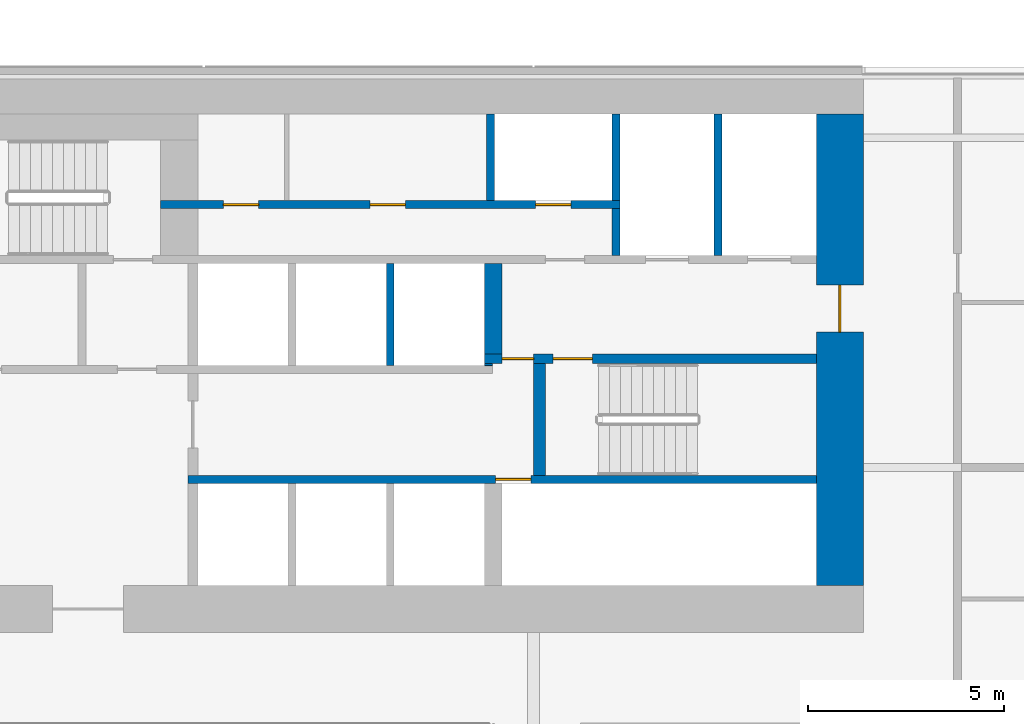
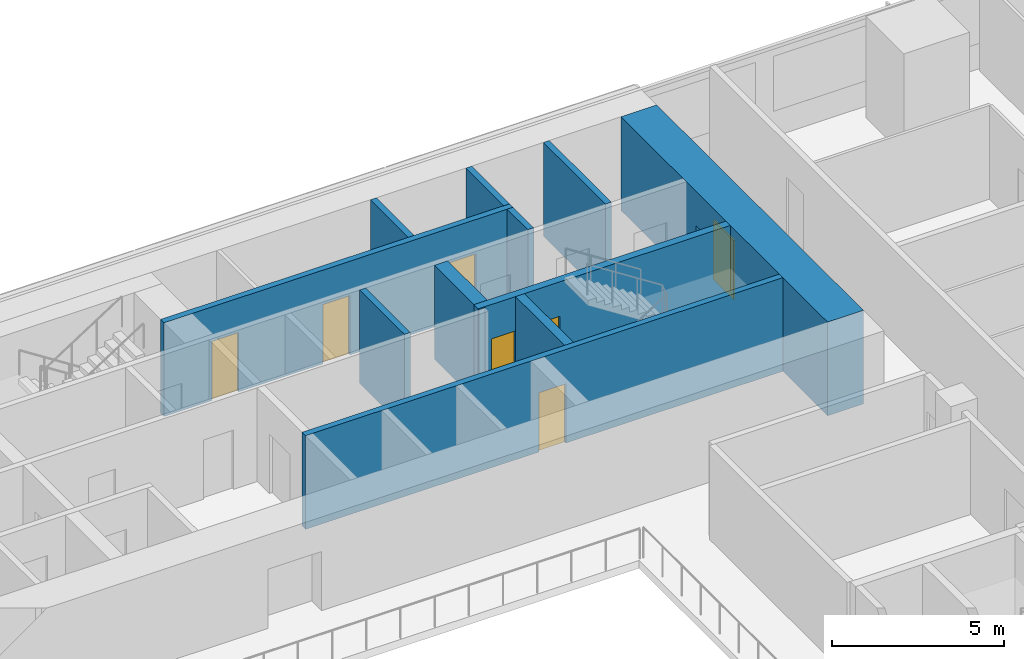
# One storey, part 22 of 29: 12 walls, 7 doors, 7 openings.
"""IFC4 building model written with IfcOpenShell, lengths in metres."""

from ifc_helpers import new_model, si_unit, direction, frame, frame_2d, origin, place, context, subcontext, project, spatial, rectangle, extrude, material, layer, layer_set, type_object, element, fill, save


model = new_model("IFC4")

# Units and contexts
model_context = context("Model", 3, precision=1e-05, world=origin(), true_north=direction((0.0, 1.0)))
body_context = subcontext(model_context, "Body", "Model", "MODEL_VIEW")
ifc_project = project(units=[si_unit("LENGTHUNIT", "METRE"), si_unit("AREAUNIT", "SQUARE_METRE"), si_unit("VOLUMEUNIT", "CUBIC_METRE"), si_unit("PLANEANGLEUNIT", "RADIAN"), si_unit("MASSUNIT", "GRAM", prefix="KILO")], contexts=[model_context])

# Site, building, storey
site_placement = place(None, origin())
site = spatial("IfcSite", under=ifc_project, at=site_placement, CompositionType="ELEMENT")
building_placement = place(site_placement, origin())
building = spatial("IfcBuilding", under=site, at=building_placement, Name="Saffron Gate Tower", CompositionType="ELEMENT")
storey_placement = place(building_placement, frame((0.0, 0.0, 48.0)))
storey = spatial("IfcBuildingStorey", under=building, at=storey_placement, Name="L10", CompositionType="ELEMENT", Elevation=48.0)

# Wall, opening, door
ifc_material_1 = material(Name="Concrete C70", Category="concrete")
ifc_layer_1 = layer(ifc_material_1, 1.199951171875)
ifc_layer_set_1 = layer_set([ifc_layer_1], Name="CW1 RC core wall 1200 C70")
wall_type_1 = type_object("IfcWallType", Name="CW1 RC core wall 1200 C70", PredefinedType="SOLIDWALL", material=ifc_layer_set_1)
wall_1_placement = place(storey_placement, frame((108.0, 62.39990234375, 0.0), z_axis=(0.0, 0.0, 1.0), x_axis=(0.0, 1.0, 0.0)))
wall_1 = element("IfcWall", 1, at=wall_1_placement, inside=storey, type_object=wall_type_1, Name="Wall CW1-L10-4", PredefinedType="SOLIDWALL", context=body_context, shape_type="SweptSolid", body=[
    extrude(rectangle(XDim=12.0, YDim=1.199951171875, at=frame_2d((6.0, 0.0))), origin(), (0.0, 0.0, 1.0), 3.320068359375),
])
opening_1_placement = place(wall_1_placement, frame((6.449951171875, 0.0, 0.0)))
opening_1 = element("IfcOpeningElement", 2, at=opening_1_placement, cuts=wall_1, Name="Opening CR-08", PredefinedType="OPENING", context=body_context, shape_type="SweptSolid", body=[
    extrude(rectangle(XDim=1.199951171875, YDim=2.10009765625, at=frame_2d((0.60009765625, 1.050048828125))), frame((0.0, 0.60986328125, 0.0), z_axis=(0.0, -1.0, 0.0), x_axis=(1.0, 0.0, 0.0)), (0.0, 0.0, 1.0), 1.219970703125),
])
ifc_material_2 = material(Name="Steel fire door set", Category="steel")
door_type_1 = type_object("IfcDoorType", Name="CD7 Core entrance door 1200x2100 EI 120", OperationType="NOTDEFINED", PredefinedType="DOOR", material=ifc_material_2)
door_1_placement = place(opening_1_placement, origin())
door_1 = element("IfcDoor", 3, at=door_1_placement, inside=storey, type_object=door_type_1, Name="DOOR CR-08", OperationType="SINGLE_SWING_RIGHT", OverallHeight=2.10009765625, OverallWidth=1.199951171875, PredefinedType="DOOR", context=body_context, shape_type="SweptSolid", body=[
    extrude(rectangle(XDim=1.199951171875, YDim=2.10009765625, at=frame_2d((0.60009765625, 1.050048828125))), frame((0.0, 0.02490234375, 0.0), z_axis=(0.0, -1.0, 0.0), x_axis=(1.0, 0.0, 0.0)), (0.0, 0.0, 1.0), 0.050048828125),
])
fill(opening_1, door_1)

# Wall, openings, doors
ifc_layer_2 = layer(ifc_material_1, 0.25)
ifc_layer_set_2 = layer_set([ifc_layer_2], Name="CW2 RC core wall 250 C70")
wall_type_2 = type_object("IfcWallType", Name="CW2 RC core wall 250 C70", PredefinedType="SOLIDWALL", material=ifc_layer_set_2)
wall_2_placement = place(storey_placement, frame((98.949951171875, 68.175048828125, 0.0), z_axis=(0.0, 0.0, 1.0), x_axis=(1.0, 0.0, 0.0)))
wall_2 = element("IfcWall", 4, at=wall_2_placement, inside=storey, type_object=wall_type_2, Name="Wall CW2-L10-30", PredefinedType="SOLIDWALL", context=body_context, shape_type="SweptSolid", body=[
    extrude(rectangle(XDim=8.449951171875, YDim=0.25, at=frame_2d((4.22509765625, 0.0))), origin(), (0.0, 0.0, 1.0), 3.320068359375),
])
opening_2_placement = place(wall_2_placement, frame((0.449951171875, 0.0, 0.0)))
opening_2 = element("IfcOpeningElement", 5, at=opening_2_placement, cuts=wall_2, Name="Opening CR-05", PredefinedType="OPENING", context=body_context, shape_type="SweptSolid", body=[
    extrude(rectangle(XDim=0.800048828125, YDim=2.10009765625, at=frame_2d((0.39990234375, 1.050048828125))), frame((0.0, 0.135009765625, 0.0), z_axis=(0.0, -1.0, 0.0), x_axis=(1.0, 0.0, 0.0)), (0.0, 0.0, 1.0), 0.27001953125),
])
opening_3_placement = place(wall_2_placement, frame((1.75, 0.0, 0.0)))
opening_3 = element("IfcOpeningElement", 6, at=opening_3_placement, cuts=wall_2, Name="Opening CR-16", PredefinedType="OPENING", context=body_context, shape_type="SweptSolid", body=[
    extrude(rectangle(XDim=1.0, YDim=2.10009765625, at=frame_2d((0.5, 1.050048828125))), frame((0.0, 0.135009765625, 0.0), z_axis=(0.0, -1.0, 0.0), x_axis=(1.0, 0.0, 0.0)), (0.0, 0.0, 1.0), 0.27001953125),
])
door_type_2 = type_object("IfcDoorType", Name="CD5 Stair door 1000x2100 EI 120", OperationType="NOTDEFINED", PredefinedType="DOOR", material=ifc_material_2)
door_2_placement = place(opening_3_placement, origin())
door_2 = element("IfcDoor", 7, at=door_2_placement, inside=storey, type_object=door_type_2, Name="DOOR CR-16", OperationType="SINGLE_SWING_RIGHT", OverallHeight=2.10009765625, OverallWidth=1.0, PredefinedType="DOOR", context=body_context, shape_type="SweptSolid", body=[
    extrude(rectangle(XDim=1.0, YDim=2.10009765625, at=frame_2d((0.5, 1.050048828125))), frame((0.0, 0.02490234375, 0.0), z_axis=(0.0, -1.0, 0.0), x_axis=(1.0, 0.0, 0.0)), (0.0, 0.0, 1.0), 0.050048828125),
])
fill(opening_3, door_2)
door_type_3 = type_object("IfcDoorType", Name="CD6 Lobby door 800x2100 EI 120", OperationType="NOTDEFINED", PredefinedType="DOOR", material=ifc_material_2)
door_3_placement = place(opening_2_placement, origin())
door_3 = element("IfcDoor", 8, at=door_3_placement, inside=storey, type_object=door_type_3, Name="DOOR CR-05", OperationType="SINGLE_SWING_LEFT", OverallHeight=2.10009765625, OverallWidth=0.800048828125, PredefinedType="DOOR", context=body_context, shape_type="SweptSolid", body=[
    extrude(rectangle(XDim=0.800048828125, YDim=2.10009765625, at=frame_2d((0.39990234375, 1.050048828125))), frame((0.0, 0.02490234375, 0.0), z_axis=(0.0, -1.0, 0.0), x_axis=(1.0, 0.0, 0.0)), (0.0, 0.0, 1.0), 0.050048828125),
])
fill(opening_2, door_3)

# Wall, opening, door
ifc_layer_3 = layer(ifc_material_1, 0.199951171875)
ifc_layer_set_3 = layer_set([ifc_layer_3], Name="CW3 RC core wall 200 C70")
wall_type_3 = type_object("IfcWallType", Name="CW3 RC core wall 200 C70", PredefinedType="SOLIDWALL", material=ifc_layer_set_3)
wall_3_placement = place(storey_placement, frame((91.39990234375, 65.10009765625, 0.0), z_axis=(0.0, 0.0, 1.0), x_axis=(1.0, 0.0, 0.0)))
wall_3 = element("IfcWall", 9, at=wall_3_placement, inside=storey, type_object=wall_type_3, Name="Wall CW3-L10-15", PredefinedType="SOLIDWALL", context=body_context, shape_type="SweptSolid", body=[
    extrude(rectangle(XDim=16.0, YDim=0.199951171875, at=frame_2d((8.0, 0.0))), origin(), (0.0, 0.0, 1.0), 3.320068359375),
])
opening_4_placement = place(wall_3_placement, frame((7.830078125, 0.0, 0.0)))
opening_4 = element("IfcOpeningElement", 10, at=opening_4_placement, cuts=wall_3, Name="Opening CR-48", PredefinedType="OPENING", context=body_context, shape_type="SweptSolid", body=[
    extrude(rectangle(XDim=0.89990234375, YDim=2.10009765625, at=frame_2d((0.449951171875, 1.050048828125))), frame((0.0, 0.10986328125, 0.0), z_axis=(0.0, -1.0, 0.0), x_axis=(1.0, 0.0, 0.0)), (0.0, 0.0, 1.0), 0.219970703125),
])
door_type_4 = type_object("IfcDoorType", Name="CD2 Riser door 900x2100 EI 60", OperationType="NOTDEFINED", PredefinedType="DOOR", material=ifc_material_2)
door_4_placement = place(opening_4_placement, origin())
door_4 = element("IfcDoor", 11, at=door_4_placement, inside=storey, type_object=door_type_4, Name="DOOR CR-48", OperationType="SINGLE_SWING_RIGHT", OverallHeight=2.10009765625, OverallWidth=0.89990234375, PredefinedType="DOOR", context=body_context, shape_type="SweptSolid", body=[
    extrude(rectangle(XDim=0.89990234375, YDim=2.10009765625, at=frame_2d((0.449951171875, 1.050048828125))), frame((0.0, 0.02490234375, 0.0), z_axis=(0.0, -1.0, 0.0), x_axis=(1.0, 0.0, 0.0)), (0.0, 0.0, 1.0), 0.050048828125),
])
fill(opening_4, door_4)

# Walls
wall_4_placement = place(storey_placement, frame((96.550048828125, 68.0, 0.0), z_axis=(0.0, 0.0, 1.0), x_axis=(0.0, 1.0, 0.0)))
element("IfcWall", 12, at=wall_4_placement, inside=storey, type_object=wall_type_3, Name="Wall CW3-L10-27", PredefinedType="SOLIDWALL", context=body_context, shape_type="SweptSolid", body=[
    extrude(rectangle(XDim=2.60009765625, YDim=0.199951171875, at=frame_2d((1.300048828125, 0.0))), origin(), (0.0, 0.0, 1.0), 3.320068359375),
])
wall_5_placement = place(storey_placement, frame((102.300048828125, 70.800048828125, 0.0), z_axis=(0.0, 0.0, 1.0), x_axis=(0.0, 1.0, 0.0)))
element("IfcWall", 13, at=wall_5_placement, inside=storey, type_object=wall_type_3, Name="Wall CW3-L10-38", PredefinedType="SOLIDWALL", context=body_context, shape_type="SweptSolid", body=[
    extrude(rectangle(XDim=1.199951171875, YDim=0.199951171875, at=frame_2d((0.60009765625, 0.0))), origin(), (0.0, 0.0, 1.0), 3.320068359375),
])
wall_6_placement = place(storey_placement, frame((104.89990234375, 70.800048828125, 0.0), z_axis=(0.0, 0.0, 1.0), x_axis=(0.0, 1.0, 0.0)))
element("IfcWall", 14, at=wall_6_placement, inside=storey, type_object=wall_type_3, Name="Wall CW3-L10-39", PredefinedType="SOLIDWALL", context=body_context, shape_type="SweptSolid", body=[
    extrude(rectangle(XDim=3.599853515625, YDim=0.199951171875, at=frame_2d((1.7998046875, 0.0))), origin(), (0.0, 0.0, 1.0), 3.320068359375),
])

# Wall, openings, doors
wall_7_placement = place(storey_placement, frame((90.699951171875, 72.10009765625, 0.0), z_axis=(0.0, 0.0, 1.0), x_axis=(1.0, 0.0, 0.0)))
wall_7 = element("IfcWall", 15, at=wall_7_placement, inside=storey, type_object=wall_type_3, Name="Wall CW3-L10-41", PredefinedType="SOLIDWALL", context=body_context, shape_type="SweptSolid", body=[
    extrude(rectangle(XDim=11.699951171875, YDim=0.199951171875, at=frame_2d((5.85009765625, 0.0))), origin(), (0.0, 0.0, 1.0), 3.320068359375),
])
opening_5_placement = place(wall_7_placement, frame((1.60009765625, 0.0, 0.0)))
opening_5 = element("IfcOpeningElement", 16, at=opening_5_placement, cuts=wall_7, Name="Opening CR-50", PredefinedType="OPENING", context=body_context, shape_type="SweptSolid", body=[
    extrude(rectangle(XDim=0.89990234375, YDim=2.10009765625, at=frame_2d((0.449951171875, 1.050048828125))), frame((0.0, 0.10986328125, 0.0), z_axis=(0.0, -1.0, 0.0), x_axis=(1.0, 0.0, 0.0)), (0.0, 0.0, 1.0), 0.219970703125),
])
opening_6_placement = place(wall_7_placement, frame((5.3349609375, 0.0, 0.0)))
opening_6 = element("IfcOpeningElement", 17, at=opening_6_placement, cuts=wall_7, Name="Opening CR-53", PredefinedType="OPENING", context=body_context, shape_type="SweptSolid", body=[
    extrude(rectangle(XDim=0.89990234375, YDim=2.10009765625, at=frame_2d((0.449951171875, 1.050048828125))), frame((0.0, 0.10986328125, 0.0), z_axis=(0.0, -1.0, 0.0), x_axis=(1.0, 0.0, 0.0)), (0.0, 0.0, 1.0), 0.219970703125),
])
opening_7_placement = place(wall_7_placement, frame((9.550048828125, 0.0, 0.0)))
opening_7 = element("IfcOpeningElement", 18, at=opening_7_placement, cuts=wall_7, Name="Opening CR-70", PredefinedType="OPENING", context=body_context, shape_type="SweptSolid", body=[
    extrude(rectangle(XDim=0.89990234375, YDim=2.10009765625, at=frame_2d((0.449951171875, 1.050048828125))), frame((0.0, 0.10986328125, 0.0), z_axis=(0.0, -1.0, 0.0), x_axis=(1.0, 0.0, 0.0)), (0.0, 0.0, 1.0), 0.219970703125),
])
door_5_placement = place(opening_7_placement, origin())
door_5 = element("IfcDoor", 19, at=door_5_placement, inside=storey, type_object=door_type_4, Name="DOOR CR-70", OperationType="SINGLE_SWING_LEFT", OverallHeight=2.10009765625, OverallWidth=0.89990234375, PredefinedType="DOOR", context=body_context, shape_type="SweptSolid", body=[
    extrude(rectangle(XDim=0.89990234375, YDim=2.10009765625, at=frame_2d((0.449951171875, 1.050048828125))), frame((0.0, 0.02490234375, 0.0), z_axis=(0.0, -1.0, 0.0), x_axis=(1.0, 0.0, 0.0)), (0.0, 0.0, 1.0), 0.050048828125),
])
fill(opening_7, door_5)
door_type_5 = type_object("IfcDoorType", Name="CD9 Room door 900x2100 EI 60", OperationType="NOTDEFINED", PredefinedType="DOOR", material=ifc_material_2)
door_6_placement = place(opening_5_placement, origin())
door_6 = element("IfcDoor", 20, at=door_6_placement, inside=storey, type_object=door_type_5, Name="DOOR CR-50", OperationType="SINGLE_SWING_LEFT", OverallHeight=2.10009765625, OverallWidth=0.89990234375, PredefinedType="DOOR", context=body_context, shape_type="SweptSolid", body=[
    extrude(rectangle(XDim=0.89990234375, YDim=2.10009765625, at=frame_2d((0.449951171875, 1.050048828125))), frame((0.0, 0.02490234375, 0.0), z_axis=(0.0, -1.0, 0.0), x_axis=(1.0, 0.0, 0.0)), (0.0, 0.0, 1.0), 0.050048828125),
])
fill(opening_5, door_6)
door_7_placement = place(opening_6_placement, origin())
door_7 = element("IfcDoor", 21, at=door_7_placement, inside=storey, type_object=door_type_5, Name="DOOR CR-53", OperationType="SINGLE_SWING_LEFT", OverallHeight=2.10009765625, OverallWidth=0.89990234375, PredefinedType="DOOR", context=body_context, shape_type="SweptSolid", body=[
    extrude(rectangle(XDim=0.89990234375, YDim=2.10009765625, at=frame_2d((0.449951171875, 1.050048828125))), frame((0.0, 0.02490234375, 0.0), z_axis=(0.0, -1.0, 0.0), x_axis=(1.0, 0.0, 0.0)), (0.0, 0.0, 1.0), 0.050048828125),
])
fill(opening_6, door_7)

# Walls
for number, where, z_axis, x_axis, name in (
    (22, (99.10009765625, 72.199951171875, 0.0), (0.0, 0.0, 1.0), (0.0, 1.0, 0.0), "Wall CW3-L10-49"),
    (23, (102.300048828125, 72.199951171875, 0.0), (0.0, 0.0, 1.0), (0.0, 1.0, 0.0), "Wall CW3-L10-50"),
):
    element("IfcWall", number, at=place(storey_placement, frame(where, z_axis=z_axis, x_axis=x_axis)), inside=storey, type_object=wall_type_3, Name=name, PredefinedType="SOLIDWALL", context=body_context, shape_type="SweptSolid", body=[
        extrude(rectangle(XDim=2.199951171875, YDim=0.199951171875, at=frame_2d((1.10009765625, 0.0))), origin(), (0.0, 0.0, 1.0), 3.320068359375),
    ])
ifc_layer_4 = layer(ifc_material_1, 0.449951171875)
ifc_layer_set_4 = layer_set([ifc_layer_4], Name="CW4 RC core wall 450 C70")
wall_type_4 = type_object("IfcWallType", Name="CW4 RC core wall 450 C70", PredefinedType="SOLIDWALL", material=ifc_layer_set_4)
wall_8_placement = place(storey_placement, frame((99.175048828125, 68.300048828125, 0.0), z_axis=(0.0, 0.0, 1.0), x_axis=(0.0, 1.0, 0.0)))
element("IfcWall", 24, at=wall_8_placement, inside=storey, type_object=wall_type_4, Name="Wall CW4-L10-32", PredefinedType="SOLIDWALL", context=body_context, shape_type="SweptSolid", body=[
    extrude(rectangle(XDim=2.300048828125, YDim=0.449951171875, at=frame_2d((1.14990234375, 0.0))), origin(), (0.0, 0.0, 1.0), 3.320068359375),
])
ifc_layer_5 = layer(ifc_material_1, 0.300048828125)
ifc_layer_set_5 = layer_set([ifc_layer_5], Name="CW5 RC core wall 300 C70")
wall_type_5 = type_object("IfcWallType", Name="CW5 RC core wall 300 C70", PredefinedType="SOLIDWALL", material=ifc_layer_set_5)
wall_9_placement = place(storey_placement, frame((100.35009765625, 65.199951171875, 0.0), z_axis=(0.0, 0.0, 1.0), x_axis=(0.0, 1.0, 0.0)))
element("IfcWall", 25, at=wall_9_placement, inside=storey, type_object=wall_type_5, Name="Wall CW5-L10-19", PredefinedType="SOLIDWALL", context=body_context, shape_type="SweptSolid", body=[
    extrude(rectangle(XDim=2.85009765625, YDim=0.300048828125, at=frame_2d((1.425048828125, 0.0))), origin(), (0.0, 0.0, 1.0), 3.320068359375),
])
ifc_layer_6 = layer(ifc_material_1, 0.050048828125)
ifc_layer_set_6 = layer_set([ifc_layer_6], Name="CW6 RC core wall 50 C70")
wall_type_6 = type_object("IfcWallType", Name="CW6 RC core wall 50 C70", PredefinedType="SOLIDWALL", material=ifc_layer_set_6)
wall_10_placement = place(storey_placement, frame((98.949951171875, 68.02490234375, 0.0), z_axis=(0.0, 0.0, 1.0), x_axis=(1.0, 0.0, 0.0)))
element("IfcWall", 26, at=wall_10_placement, inside=storey, type_object=wall_type_6, Name="Wall CW6-L10-28", PredefinedType="SOLIDWALL", context=body_context, shape_type="SweptSolid", body=[
    extrude(rectangle(XDim=0.199951171875, YDim=0.050048828125, at=frame_2d((0.10009765625, 0.0))), origin(), (0.0, 0.0, 1.0), 3.320068359375),
])

save(model, "model.ifc")
